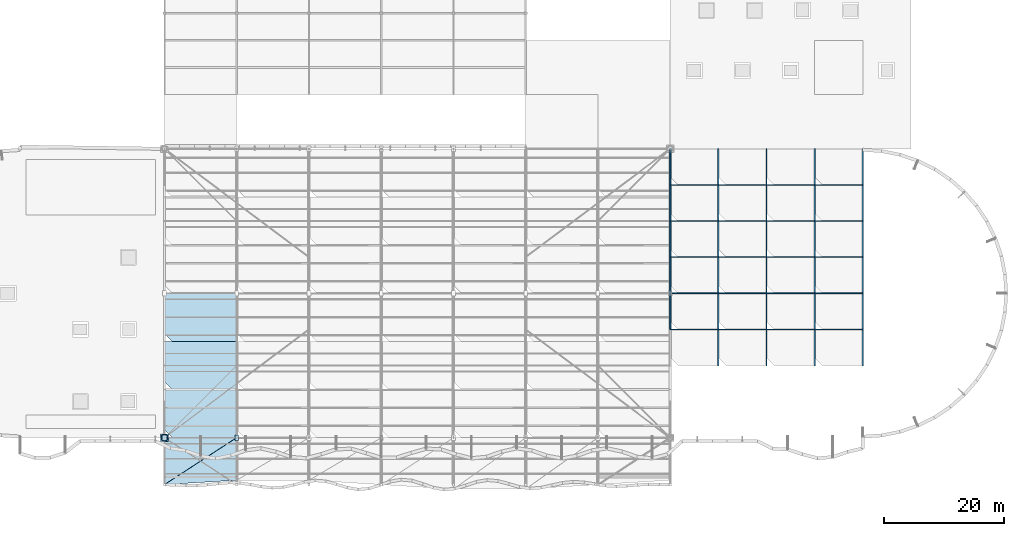
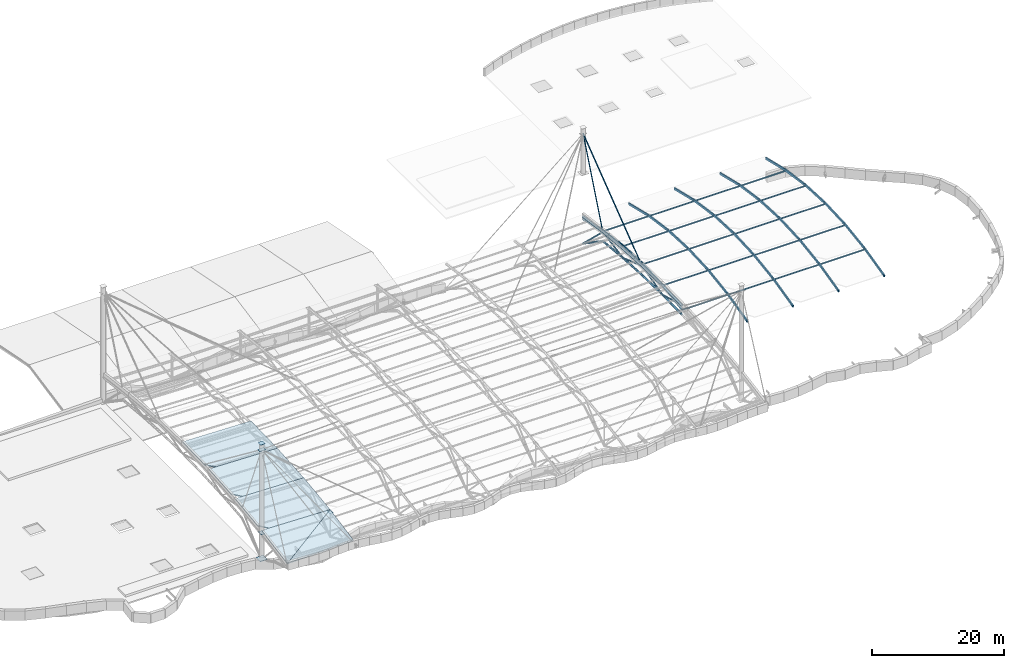
# One storey, part 17 of 29: 66 members, 5 plates, 5 slabs.
"""IFC4 building model written with IfcOpenShell, lengths in metres."""

from ifc_helpers import new_model, si_unit, direction, frame, origin, origin_with_axes, origin_2d, place, context, subcontext, project, spatial, polyline, rectangle, hollow_rectangle, hollow_circle, i_section, outline, extrude, material, layer, layer_set, material_profile, profile_set, type_object, element, save


model = new_model("IFC4")

# Units and contexts
model_context = context("Model", 3, precision=1e-05, world=origin(), true_north=direction((0.0, 1.0)))
body_context = subcontext(model_context, "Body", "Model", "MODEL_VIEW")
ifc_project = project(units=[si_unit("LENGTHUNIT", "METRE"), si_unit("AREAUNIT", "SQUARE_METRE"), si_unit("VOLUMEUNIT", "CUBIC_METRE"), si_unit("PLANEANGLEUNIT", "RADIAN"), si_unit("MASSUNIT", "GRAM", prefix="KILO")], contexts=[model_context])

# Site, building, storey
site_placement = place(None, origin())
site = spatial("IfcSite", under=ifc_project, at=site_placement, CompositionType="ELEMENT")
building_placement = place(site_placement, origin())
building = spatial("IfcBuilding", under=site, at=building_placement, Name="Keelwater Ferry Terminal", CompositionType="ELEMENT")
storey_placement = place(building_placement, frame((0.0, 0.0, 27.89990234375)))
storey = spatial("IfcBuildingStorey", under=building, at=storey_placement, Name="RF", CompositionType="ELEMENT", Elevation=27.89990234375)

# Members
ifc_material_1 = material(Name="Steel S355", Category="steel")
ifc_material_profile_1 = material_profile(ifc_material_1, hollow_circle(Radius=0.136474609375, WallThickness=0.012451171875, at=origin_2d()), Name="CHS 273x12.5")
ifc_profile_set_1 = profile_set([ifc_material_profile_1], Name="Steel S355")
member_type_1 = type_object("IfcMemberType", Name="BR2 CHS 273x12.5", PredefinedType="BRACE", material=ifc_profile_set_1)
for number, where, z_axis, x_axis, name in (
    (1, (132.0, 60.0, -6.365966796875), (0.0, 0.96687447052, -0.255252342315), (-1.0, 0.0, 0.0), "Structural Member MB-RF-0241"),
    (2, (132.0, 66.0, -7.949951171875), (0.0, 0.96687447052, 0.255252342315), (-1.0, 0.0, 0.0), "Structural Member MB-RF-0244"),
):
    element("IfcMember", number, at=place(storey_placement, frame(where, z_axis=z_axis, x_axis=x_axis)), inside=storey, type_object=member_type_1, Name=name, PredefinedType="BRACE", context=body_context, shape_type="SweptSolid", body=[
        extrude(hollow_circle(Radius=0.136474609375, WallThickness=0.012451171875, at=origin_2d()), origin(), (0.0, 0.0, 1.0), 6.20556640625),
    ])
member_1_placement = place(storey_placement, frame((132.0, 72.0, -6.365966796875), z_axis=(0.0, 0.946488800041, -0.322736659519), x_axis=(-1.0, 0.0, 0.0)))
element("IfcMember", 3, at=member_1_placement, inside=storey, type_object=member_type_1, Name="Structural Member MB-RF-0247", PredefinedType="BRACE", context=body_context, shape_type="SweptSolid", body=[
    extrude(hollow_circle(Radius=0.136474609375, WallThickness=0.012451171875, at=origin_2d()), origin(), (0.0, 0.0, 1.0), 6.339111328125),
])
member_2_placement = place(storey_placement, frame((132.0, 78.0, -8.411865234375), z_axis=(0.0, 0.982995131621, 0.183631618216), x_axis=(-1.0, 0.0, 0.0)))
element("IfcMember", 4, at=member_2_placement, inside=storey, type_object=member_type_1, Name="Structural Member MB-RF-0250", PredefinedType="BRACE", context=body_context, shape_type="SweptSolid", body=[
    extrude(hollow_circle(Radius=0.136474609375, WallThickness=0.012451171875, at=origin_2d()), origin(), (0.0, 0.0, 1.0), 6.103759765625),
])
member_3_placement = place(storey_placement, frame((132.0, 84.0, -7.291015625), z_axis=(0.0, 0.721460060019, -0.692456050445), x_axis=(-1.0, 0.0, 0.0)))
element("IfcMember", 5, at=member_3_placement, inside=storey, type_object=member_type_1, Name="Structural Member MB-RF-0253", PredefinedType="BRACE", context=body_context, shape_type="SweptSolid", body=[
    extrude(hollow_circle(Radius=0.136474609375, WallThickness=0.012451171875, at=origin_2d()), origin(), (0.0, 0.0, 1.0), 8.31640625),
])
ifc_material_2 = material(Name="Steel S355", Category="steel")
ifc_material_profile_2 = material_profile(ifc_material_2, i_section(OverallWidth=0.1201171875, OverallDepth=0.239990234375, WebThickness=0.006103515625, FlangeThickness=0.009765625, at=origin_2d()), Name="IPE 240")
ifc_profile_set_2 = profile_set([ifc_material_profile_2], Name="Steel S355")
member_type_2 = type_object("IfcMemberType", Name="PR3 IPE 240", PredefinedType="PURLIN", material=ifc_profile_set_2)
for number, where, z_axis, x_axis, name in (
    (6, (132.0, 60.0, -7.17578125), (1.0, 0.0, 0.0), (0.0, 1.0, 0.0), "Structural Member MB-RF-0464"),
    (7, (132.0, 66.0, -6.308837890625), (1.0, 0.0, 0.0), (0.0, 1.0, 0.0), "Structural Member MB-RF-0465"),
    (8, (132.0, 72.0, -6.02001953125), (1.0, 0.0, 0.0), (0.0, 1.0, 0.0), "Structural Member MB-RF-0466"),
    (9, (132.0, 78.0, -6.308837890625), (1.0, 0.0, 0.0), (0.0, 1.0, 0.0), "Structural Member MB-RF-0467"),
    (10, (132.0, 84.0, -7.17578125), (1.0, 0.0, 0.0), (0.0, 1.0, 0.0), "Structural Member MB-RF-0468"),
    (11, (140.0, 60.0, -7.17578125), (1.0, 0.0, 0.0), (0.0, 1.0, 0.0), "Structural Member MB-RF-0469"),
    (12, (140.0, 66.0, -6.308837890625), (1.0, 0.0, 0.0), (0.0, 1.0, 0.0), "Structural Member MB-RF-0470"),
    (13, (140.0, 72.0, -6.02001953125), (1.0, 0.0, 0.0), (0.0, 1.0, 0.0), "Structural Member MB-RF-0471"),
    (14, (140.0, 78.0, -6.308837890625), (1.0, 0.0, 0.0), (0.0, 1.0, 0.0), "Structural Member MB-RF-0472"),
    (15, (140.0, 84.0, -7.17578125), (1.0, 0.0, 0.0), (0.0, 1.0, 0.0), "Structural Member MB-RF-0473"),
    (16, (148.0, 60.0, -7.17578125), (1.0, 0.0, 0.0), (0.0, 1.0, 0.0), "Structural Member MB-RF-0474"),
    (17, (148.0, 66.0, -6.308837890625), (1.0, 0.0, 0.0), (0.0, 1.0, 0.0), "Structural Member MB-RF-0475"),
    (18, (148.0, 72.0, -6.02001953125), (1.0, 0.0, 0.0), (0.0, 1.0, 0.0), "Structural Member MB-RF-0476"),
    (19, (148.0, 78.0, -6.308837890625), (1.0, 0.0, 0.0), (0.0, 1.0, 0.0), "Structural Member MB-RF-0477"),
    (20, (148.0, 84.0, -7.17578125), (1.0, 0.0, 0.0), (0.0, 1.0, 0.0), "Structural Member MB-RF-0478"),
    (21, (156.0, 60.0, -7.17578125), (1.0, 0.0, 0.0), (0.0, 1.0, 0.0), "Structural Member MB-RF-0479"),
    (22, (156.0, 66.0, -6.308837890625), (1.0, 0.0, 0.0), (0.0, 1.0, 0.0), "Structural Member MB-RF-0480"),
    (23, (156.0, 72.0, -6.02001953125), (1.0, 0.0, 0.0), (0.0, 1.0, 0.0), "Structural Member MB-RF-0481"),
    (24, (156.0, 78.0, -6.308837890625), (1.0, 0.0, 0.0), (0.0, 1.0, 0.0), "Structural Member MB-RF-0482"),
    (25, (156.0, 84.0, -7.17578125), (1.0, 0.0, 0.0), (0.0, 1.0, 0.0), "Structural Member MB-RF-0483"),
):
    element("IfcMember", number, at=place(storey_placement, frame(where, z_axis=z_axis, x_axis=x_axis)), inside=storey, type_object=member_type_2, Name=name, PredefinedType="PURLIN", context=body_context, shape_type="SweptSolid", body=[
        extrude(i_section(OverallWidth=0.1201171875, OverallDepth=0.239990234375, WebThickness=0.006103515625, FlangeThickness=0.009765625, at=origin_2d()), origin(), (0.0, 0.0, 1.0), 8.0),
    ])
ifc_material_3 = material(Name="Steel S460", Category="steel")
ifc_material_profile_3 = material_profile(ifc_material_3, hollow_circle(Radius=0.084228515625, WallThickness=0.012451171875, at=origin_2d()), Name="CHS 168.3x12.5")
ifc_profile_set_3 = profile_set([ifc_material_profile_3], Name="Steel S460")
member_type_3 = type_object("IfcMemberType", Name="SC1E CHS 168.3x12.5", PredefinedType="USERDEFINED", material=ifc_profile_set_3)
member_4_placement = place(storey_placement, frame((132.0, 90.0, 7.300048828125), z_axis=(0.0, -0.378097227373, -0.925765891926), x_axis=(1.0, 0.0, 0.0)))
element("IfcMember", 26, at=member_4_placement, inside=storey, type_object=member_type_3, Name="Structural Member MB-RF-0407", ObjectType="CABLE", PredefinedType="USERDEFINED", context=body_context, shape_type="SweptSolid", body=[
    extrude(hollow_circle(Radius=0.084228515625, WallThickness=0.012451171875, at=origin_2d()), origin(), (0.0, 0.0, 1.0), 15.868896484375),
])
ifc_material_4 = material(Name="Steel S460", Category="steel")
ifc_material_profile_4 = material_profile(ifc_material_4, hollow_circle(Radius=0.06982421875, WallThickness=0.010009765625, at=origin_2d()), Name="CHS 139.7x10")
ifc_profile_set_4 = profile_set([ifc_material_profile_4], Name="Steel S460")
member_type_4 = type_object("IfcMemberType", Name="SC2E CHS 139.7x10", PredefinedType="USERDEFINED", material=ifc_profile_set_4)
member_5_placement = place(storey_placement, frame((132.0, 90.0, 7.300048828125), z_axis=(0.0, -0.794333061913, -0.607482499132), x_axis=(1.0, 0.0, 0.0)))
element("IfcMember", 27, at=member_5_placement, inside=storey, type_object=member_type_4, Name="Structural Member MB-RF-0408", ObjectType="CABLE", PredefinedType="USERDEFINED", context=body_context, shape_type="SweptSolid", body=[
    extrude(hollow_circle(Radius=0.06982421875, WallThickness=0.010009765625, at=origin_2d()), origin(), (0.0, 0.0, 1.0), 22.660400390625),
])
ifc_material_5 = material(Name="Steel S355", Category="steel")
ifc_material_profile_5 = material_profile(ifc_material_5, hollow_circle(Radius=0.203125, WallThickness=0.01611328125, at=origin_2d()), Name="CHS 406.4x16")
ifc_profile_set_5 = profile_set([ifc_material_profile_5], Name="Steel S355")
member_type_5 = type_object("IfcMemberType", Name="TC1 CHS 406.4x16", PredefinedType="CHORD", material=ifc_profile_set_5)
for number, where, z_axis, x_axis, name in (
    (28, (132.0, 60.0, -6.365966796875), (0.0, 0.999813270399, 0.019324190407), (-1.0, 0.0, 0.0), "Structural Member MB-RF-0239"),
    (29, (132.0, 66.0, -6.25), (0.0, 0.999813270399, -0.019324190407), (-1.0, 0.0, 0.0), "Structural Member MB-RF-0242"),
):
    element("IfcMember", number, at=place(storey_placement, frame(where, z_axis=z_axis, x_axis=x_axis)), inside=storey, type_object=member_type_5, Name=name, PredefinedType="CHORD", context=body_context, shape_type="SweptSolid", body=[
        extrude(hollow_circle(Radius=0.203125, WallThickness=0.01611328125, at=origin_2d()), origin(), (0.0, 0.0, 1.0), 6.001220703125),
    ])
member_6_placement = place(storey_placement, frame((132.0, 72.0, -6.365966796875), z_axis=(0.0, 0.998341917567, -0.05756227609), x_axis=(-1.0, 0.0, 0.0)))
element("IfcMember", 30, at=member_6_placement, inside=storey, type_object=member_type_5, Name="Structural Member MB-RF-0245", PredefinedType="CHORD", context=body_context, shape_type="SweptSolid", body=[
    extrude(hollow_circle(Radius=0.203125, WallThickness=0.01611328125, at=origin_2d()), origin(), (0.0, 0.0, 1.0), 6.010009765625),
])
member_7_placement = place(storey_placement, frame((132.0, 78.0, -6.7119140625), z_axis=(0.0, 0.995374532886, -0.096070491211), x_axis=(-1.0, 0.0, 0.0)))
element("IfcMember", 31, at=member_7_placement, inside=storey, type_object=member_type_5, Name="Structural Member MB-RF-0248", PredefinedType="CHORD", context=body_context, shape_type="SweptSolid", body=[
    extrude(hollow_circle(Radius=0.203125, WallThickness=0.01611328125, at=origin_2d()), origin(), (0.0, 0.0, 1.0), 6.02783203125),
])
member_8_placement = place(storey_placement, frame((132.0, 84.0, -7.291015625), z_axis=(0.0, 0.991035625786, -0.133597860849), x_axis=(-1.0, 0.0, 0.0)))
element("IfcMember", 32, at=member_8_placement, inside=storey, type_object=member_type_5, Name="Structural Member MB-RF-0251", PredefinedType="CHORD", context=body_context, shape_type="SweptSolid", body=[
    extrude(hollow_circle(Radius=0.203125, WallThickness=0.01611328125, at=origin_2d()), origin(), (0.0, 0.0, 1.0), 6.05419921875),
])
ifc_material_6 = material(Name="Steel S355", Category="steel")
ifc_material_profile_6 = material_profile(ifc_material_6, hollow_circle(Radius=0.177734375, WallThickness=0.01611328125, at=origin_2d()), Name="CHS 355.6x16")
ifc_profile_set_6 = profile_set([ifc_material_profile_6], Name="Steel S355")
member_type_6 = type_object("IfcMemberType", Name="TC2 CHS 355.6x16", PredefinedType="CHORD", material=ifc_profile_set_6)
for number, where, z_axis, x_axis, name in (
    (33, (132.0, 60.0, -8.06591796875), (0.0, 0.999813270399, 0.019324190407), (-1.0, 0.0, 0.0), "Structural Member MB-RF-0240"),
    (34, (132.0, 66.0, -7.949951171875), (0.0, 0.999813270399, -0.019324190407), (-1.0, 0.0, 0.0), "Structural Member MB-RF-0243"),
):
    element("IfcMember", number, at=place(storey_placement, frame(where, z_axis=z_axis, x_axis=x_axis)), inside=storey, type_object=member_type_6, Name=name, PredefinedType="CHORD", context=body_context, shape_type="SweptSolid", body=[
        extrude(hollow_circle(Radius=0.177734375, WallThickness=0.01611328125, at=origin_2d()), origin(), (0.0, 0.0, 1.0), 6.001220703125),
    ])
member_9_placement = place(storey_placement, frame((132.0, 72.0, -8.06591796875), z_axis=(0.0, 0.998341917567, -0.05756227609), x_axis=(-1.0, 0.0, 0.0)))
element("IfcMember", 35, at=member_9_placement, inside=storey, type_object=member_type_6, Name="Structural Member MB-RF-0246", PredefinedType="CHORD", context=body_context, shape_type="SweptSolid", body=[
    extrude(hollow_circle(Radius=0.177734375, WallThickness=0.01611328125, at=origin_2d()), origin(), (0.0, 0.0, 1.0), 6.010009765625),
])
member_10_placement = place(storey_placement, frame((132.0, 78.0, -8.411865234375), z_axis=(0.0, 0.995374532886, -0.096070491211), x_axis=(-1.0, 0.0, 0.0)))
element("IfcMember", 36, at=member_10_placement, inside=storey, type_object=member_type_6, Name="Structural Member MB-RF-0249", PredefinedType="CHORD", context=body_context, shape_type="SweptSolid", body=[
    extrude(hollow_circle(Radius=0.177734375, WallThickness=0.01611328125, at=origin_2d()), origin(), (0.0, 0.0, 1.0), 6.02783203125),
])
member_11_placement = place(storey_placement, frame((132.0, 84.0, -8.990966796875), z_axis=(0.0, 0.828282493048, -0.560310727821), x_axis=(-1.0, 0.0, 0.0)))
element("IfcMember", 37, at=member_11_placement, inside=storey, type_object=member_type_6, Name="Structural Member MB-RF-0252", PredefinedType="CHORD", context=body_context, shape_type="SweptSolid", body=[
    extrude(hollow_circle(Radius=0.177734375, WallThickness=0.01611328125, at=origin_2d()), origin(), (0.0, 0.0, 1.0), 7.243896484375),
])
ifc_material_7 = material(Name="Steel S355", Category="steel")
ifc_material_profile_7 = material_profile(ifc_material_7, hollow_rectangle(XDim=0.199951171875, YDim=0.39990234375, WallThickness=0.01611328125, at=origin_2d()), Name="RHS 400x200x16")
ifc_profile_set_7 = profile_set([ifc_material_profile_7], Name="Steel S355")
member_type_7 = type_object("IfcMemberType", Name="TC3 RHS 400x200x16", PredefinedType="CHORD", material=ifc_profile_set_7)
member_12_placement = place(storey_placement, frame((132.0, 60.0, -7.05078125), z_axis=(0.0, 0.989721897916, 0.143005471171), x_axis=(-1.0, 0.0, 0.0)))
element("IfcMember", 38, at=member_12_placement, inside=storey, type_object=member_type_7, Name="Structural Member MB-RF-0435", PredefinedType="CHORD", context=body_context, shape_type="SweptSolid", body=[
    extrude(hollow_rectangle(XDim=0.199951171875, YDim=0.39990234375, WallThickness=0.01611328125, at=origin_2d()), origin(), (0.0, 0.0, 1.0), 6.062255859375),
])
for number, where, z_axis, x_axis, name in (
    (39, (132.0, 66.0, -6.183837890625), (0.0, 0.998843453322, 0.048080721243), (-1.0, 0.0, 0.0), "Structural Member MB-RF-0436"),
    (40, (132.0, 72.0, -5.89501953125), (0.0, 0.998843453322, -0.048080721243), (-1.0, 0.0, 0.0), "Structural Member MB-RF-0437"),
):
    element("IfcMember", number, at=place(storey_placement, frame(where, z_axis=z_axis, x_axis=x_axis)), inside=storey, type_object=member_type_7, Name=name, PredefinedType="CHORD", context=body_context, shape_type="SweptSolid", body=[
        extrude(hollow_rectangle(XDim=0.199951171875, YDim=0.39990234375, WallThickness=0.01611328125, at=origin_2d()), origin(), (0.0, 0.0, 1.0), 6.0068359375),
    ])
member_13_placement = place(storey_placement, frame((132.0, 78.0, -6.183837890625), z_axis=(0.0, 0.989721897916, -0.143005471171), x_axis=(-1.0, 0.0, 0.0)))
element("IfcMember", 41, at=member_13_placement, inside=storey, type_object=member_type_7, Name="Structural Member MB-RF-0438", PredefinedType="CHORD", context=body_context, shape_type="SweptSolid", body=[
    extrude(hollow_rectangle(XDim=0.199951171875, YDim=0.39990234375, WallThickness=0.01611328125, at=origin_2d()), origin(), (0.0, 0.0, 1.0), 6.062255859375),
])
for number, where, z_axis, x_axis, name in (
    (42, (132.0, 84.0, -7.05078125), (0.0, 0.972236638658, -0.233999825751), (-1.0, 0.0, 0.0), "Structural Member MB-RF-0439"),
    (43, (140.0, 54.0, -8.494873046875), (0.0, 0.972236638658, 0.233999825751), (-1.0, 0.0, 0.0), "Structural Member MB-RF-0440"),
):
    element("IfcMember", number, at=place(storey_placement, frame(where, z_axis=z_axis, x_axis=x_axis)), inside=storey, type_object=member_type_7, Name=name, PredefinedType="CHORD", context=body_context, shape_type="SweptSolid", body=[
        extrude(hollow_rectangle(XDim=0.199951171875, YDim=0.39990234375, WallThickness=0.01611328125, at=origin_2d()), origin(), (0.0, 0.0, 1.0), 6.17138671875),
    ])
member_14_placement = place(storey_placement, frame((140.0, 60.0, -7.05078125), z_axis=(0.0, 0.989721897916, 0.143005471171), x_axis=(-1.0, 0.0, 0.0)))
element("IfcMember", 44, at=member_14_placement, inside=storey, type_object=member_type_7, Name="Structural Member MB-RF-0441", PredefinedType="CHORD", context=body_context, shape_type="SweptSolid", body=[
    extrude(hollow_rectangle(XDim=0.199951171875, YDim=0.39990234375, WallThickness=0.01611328125, at=origin_2d()), origin(), (0.0, 0.0, 1.0), 6.062255859375),
])
for number, where, z_axis, x_axis, name in (
    (45, (140.0, 66.0, -6.183837890625), (0.0, 0.998843453322, 0.048080721243), (-1.0, 0.0, 0.0), "Structural Member MB-RF-0442"),
    (46, (140.0, 72.0, -5.89501953125), (0.0, 0.998843453322, -0.048080721243), (-1.0, 0.0, 0.0), "Structural Member MB-RF-0443"),
):
    element("IfcMember", number, at=place(storey_placement, frame(where, z_axis=z_axis, x_axis=x_axis)), inside=storey, type_object=member_type_7, Name=name, PredefinedType="CHORD", context=body_context, shape_type="SweptSolid", body=[
        extrude(hollow_rectangle(XDim=0.199951171875, YDim=0.39990234375, WallThickness=0.01611328125, at=origin_2d()), origin(), (0.0, 0.0, 1.0), 6.0068359375),
    ])
member_15_placement = place(storey_placement, frame((140.0, 78.0, -6.183837890625), z_axis=(0.0, 0.989721897916, -0.143005471171), x_axis=(-1.0, 0.0, 0.0)))
element("IfcMember", 47, at=member_15_placement, inside=storey, type_object=member_type_7, Name="Structural Member MB-RF-0444", PredefinedType="CHORD", context=body_context, shape_type="SweptSolid", body=[
    extrude(hollow_rectangle(XDim=0.199951171875, YDim=0.39990234375, WallThickness=0.01611328125, at=origin_2d()), origin(), (0.0, 0.0, 1.0), 6.062255859375),
])
for number, where, z_axis, x_axis, name in (
    (48, (140.0, 84.0, -7.05078125), (0.0, 0.972236638658, -0.233999825751), (-1.0, 0.0, 0.0), "Structural Member MB-RF-0445"),
    (49, (148.0, 54.0, -8.494873046875), (0.0, 0.972236638658, 0.233999825751), (-1.0, 0.0, 0.0), "Structural Member MB-RF-0446"),
):
    element("IfcMember", number, at=place(storey_placement, frame(where, z_axis=z_axis, x_axis=x_axis)), inside=storey, type_object=member_type_7, Name=name, PredefinedType="CHORD", context=body_context, shape_type="SweptSolid", body=[
        extrude(hollow_rectangle(XDim=0.199951171875, YDim=0.39990234375, WallThickness=0.01611328125, at=origin_2d()), origin(), (0.0, 0.0, 1.0), 6.17138671875),
    ])
member_16_placement = place(storey_placement, frame((148.0, 60.0, -7.05078125), z_axis=(0.0, 0.989721897916, 0.143005471171), x_axis=(-1.0, 0.0, 0.0)))
element("IfcMember", 50, at=member_16_placement, inside=storey, type_object=member_type_7, Name="Structural Member MB-RF-0447", PredefinedType="CHORD", context=body_context, shape_type="SweptSolid", body=[
    extrude(hollow_rectangle(XDim=0.199951171875, YDim=0.39990234375, WallThickness=0.01611328125, at=origin_2d()), origin(), (0.0, 0.0, 1.0), 6.062255859375),
])
for number, where, z_axis, x_axis, name in (
    (51, (148.0, 66.0, -6.183837890625), (0.0, 0.998843453322, 0.048080721243), (-1.0, 0.0, 0.0), "Structural Member MB-RF-0448"),
    (52, (148.0, 72.0, -5.89501953125), (0.0, 0.998843453322, -0.048080721243), (-1.0, 0.0, 0.0), "Structural Member MB-RF-0449"),
):
    element("IfcMember", number, at=place(storey_placement, frame(where, z_axis=z_axis, x_axis=x_axis)), inside=storey, type_object=member_type_7, Name=name, PredefinedType="CHORD", context=body_context, shape_type="SweptSolid", body=[
        extrude(hollow_rectangle(XDim=0.199951171875, YDim=0.39990234375, WallThickness=0.01611328125, at=origin_2d()), origin(), (0.0, 0.0, 1.0), 6.0068359375),
    ])
member_17_placement = place(storey_placement, frame((148.0, 78.0, -6.183837890625), z_axis=(0.0, 0.989721897916, -0.143005471171), x_axis=(-1.0, 0.0, 0.0)))
element("IfcMember", 53, at=member_17_placement, inside=storey, type_object=member_type_7, Name="Structural Member MB-RF-0450", PredefinedType="CHORD", context=body_context, shape_type="SweptSolid", body=[
    extrude(hollow_rectangle(XDim=0.199951171875, YDim=0.39990234375, WallThickness=0.01611328125, at=origin_2d()), origin(), (0.0, 0.0, 1.0), 6.062255859375),
])
for number, where, z_axis, x_axis, name in (
    (54, (148.0, 84.0, -7.05078125), (0.0, 0.972236638658, -0.233999825751), (-1.0, 0.0, 0.0), "Structural Member MB-RF-0451"),
    (55, (156.0, 54.0, -8.494873046875), (0.0, 0.972236638658, 0.233999825751), (-1.0, 0.0, 0.0), "Structural Member MB-RF-0452"),
):
    element("IfcMember", number, at=place(storey_placement, frame(where, z_axis=z_axis, x_axis=x_axis)), inside=storey, type_object=member_type_7, Name=name, PredefinedType="CHORD", context=body_context, shape_type="SweptSolid", body=[
        extrude(hollow_rectangle(XDim=0.199951171875, YDim=0.39990234375, WallThickness=0.01611328125, at=origin_2d()), origin(), (0.0, 0.0, 1.0), 6.17138671875),
    ])
member_18_placement = place(storey_placement, frame((156.0, 60.0, -7.05078125), z_axis=(0.0, 0.989721897916, 0.143005471171), x_axis=(-1.0, 0.0, 0.0)))
element("IfcMember", 56, at=member_18_placement, inside=storey, type_object=member_type_7, Name="Structural Member MB-RF-0453", PredefinedType="CHORD", context=body_context, shape_type="SweptSolid", body=[
    extrude(hollow_rectangle(XDim=0.199951171875, YDim=0.39990234375, WallThickness=0.01611328125, at=origin_2d()), origin(), (0.0, 0.0, 1.0), 6.062255859375),
])
for number, where, z_axis, x_axis, name in (
    (57, (156.0, 66.0, -6.183837890625), (0.0, 0.998843453322, 0.048080721243), (-1.0, 0.0, 0.0), "Structural Member MB-RF-0454"),
    (58, (156.0, 72.0, -5.89501953125), (0.0, 0.998843453322, -0.048080721243), (-1.0, 0.0, 0.0), "Structural Member MB-RF-0455"),
):
    element("IfcMember", number, at=place(storey_placement, frame(where, z_axis=z_axis, x_axis=x_axis)), inside=storey, type_object=member_type_7, Name=name, PredefinedType="CHORD", context=body_context, shape_type="SweptSolid", body=[
        extrude(hollow_rectangle(XDim=0.199951171875, YDim=0.39990234375, WallThickness=0.01611328125, at=origin_2d()), origin(), (0.0, 0.0, 1.0), 6.0068359375),
    ])
member_19_placement = place(storey_placement, frame((156.0, 78.0, -6.183837890625), z_axis=(0.0, 0.989721897916, -0.143005471171), x_axis=(-1.0, 0.0, 0.0)))
element("IfcMember", 59, at=member_19_placement, inside=storey, type_object=member_type_7, Name="Structural Member MB-RF-0456", PredefinedType="CHORD", context=body_context, shape_type="SweptSolid", body=[
    extrude(hollow_rectangle(XDim=0.199951171875, YDim=0.39990234375, WallThickness=0.01611328125, at=origin_2d()), origin(), (0.0, 0.0, 1.0), 6.062255859375),
])
for number, where, z_axis, x_axis, name in (
    (60, (156.0, 84.0, -7.05078125), (0.0, 0.972236638658, -0.233999825751), (-1.0, 0.0, 0.0), "Structural Member MB-RF-0457"),
    (61, (164.0, 54.0, -8.494873046875), (0.0, 0.972236638658, 0.233999825751), (-1.0, 0.0, 0.0), "Structural Member MB-RF-0458"),
):
    element("IfcMember", number, at=place(storey_placement, frame(where, z_axis=z_axis, x_axis=x_axis)), inside=storey, type_object=member_type_7, Name=name, PredefinedType="CHORD", context=body_context, shape_type="SweptSolid", body=[
        extrude(hollow_rectangle(XDim=0.199951171875, YDim=0.39990234375, WallThickness=0.01611328125, at=origin_2d()), origin(), (0.0, 0.0, 1.0), 6.17138671875),
    ])
member_20_placement = place(storey_placement, frame((164.0, 60.0, -7.05078125), z_axis=(0.0, 0.989721897916, 0.143005471171), x_axis=(-1.0, 0.0, 0.0)))
element("IfcMember", 62, at=member_20_placement, inside=storey, type_object=member_type_7, Name="Structural Member MB-RF-0459", PredefinedType="CHORD", context=body_context, shape_type="SweptSolid", body=[
    extrude(hollow_rectangle(XDim=0.199951171875, YDim=0.39990234375, WallThickness=0.01611328125, at=origin_2d()), origin(), (0.0, 0.0, 1.0), 6.062255859375),
])
for number, where, z_axis, x_axis, name in (
    (63, (164.0, 66.0, -6.183837890625), (0.0, 0.998843453322, 0.048080721243), (-1.0, 0.0, 0.0), "Structural Member MB-RF-0460"),
    (64, (164.0, 72.0, -5.89501953125), (0.0, 0.998843453322, -0.048080721243), (-1.0, 0.0, 0.0), "Structural Member MB-RF-0461"),
):
    element("IfcMember", number, at=place(storey_placement, frame(where, z_axis=z_axis, x_axis=x_axis)), inside=storey, type_object=member_type_7, Name=name, PredefinedType="CHORD", context=body_context, shape_type="SweptSolid", body=[
        extrude(hollow_rectangle(XDim=0.199951171875, YDim=0.39990234375, WallThickness=0.01611328125, at=origin_2d()), origin(), (0.0, 0.0, 1.0), 6.0068359375),
    ])
member_21_placement = place(storey_placement, frame((164.0, 78.0, -6.183837890625), z_axis=(0.0, 0.989721897916, -0.143005471171), x_axis=(-1.0, 0.0, 0.0)))
element("IfcMember", 65, at=member_21_placement, inside=storey, type_object=member_type_7, Name="Structural Member MB-RF-0462", PredefinedType="CHORD", context=body_context, shape_type="SweptSolid", body=[
    extrude(hollow_rectangle(XDim=0.199951171875, YDim=0.39990234375, WallThickness=0.01611328125, at=origin_2d()), origin(), (0.0, 0.0, 1.0), 6.062255859375),
])
member_22_placement = place(storey_placement, frame((164.0, 84.0, -7.05078125), z_axis=(0.0, 0.972236638658, -0.233999825751), x_axis=(-1.0, 0.0, 0.0)))
element("IfcMember", 66, at=member_22_placement, inside=storey, type_object=member_type_7, Name="Structural Member MB-RF-0463", PredefinedType="CHORD", context=body_context, shape_type="SweptSolid", body=[
    extrude(hollow_rectangle(XDim=0.199951171875, YDim=0.39990234375, WallThickness=0.01611328125, at=origin_2d()), origin(), (0.0, 0.0, 1.0), 6.17138671875),
])

# Plates
ifc_material_8 = material(Name="Steel S355", Category="steel")
ifc_layer_1 = layer(ifc_material_8, 0.06494140625)
ifc_layer_set_1 = layer_set([ifc_layer_1], Name="Steel S355")
plate_type_1 = type_object("IfcPlateType", Name="BP1 1300x1300x65", PredefinedType="USERDEFINED", material=ifc_layer_set_1)
plate_1_placement = place(storey_placement, frame((48.0, 42.0, -12.900390625), z_axis=(0.0, 0.0, 1.0), x_axis=(1.0, 0.0, 0.0)))
element("IfcPlate", 67, at=plate_1_placement, inside=storey, type_object=plate_type_1, Name="Roof Mast ML1 Base Plate", ObjectType="GUSSET PLATE", PredefinedType="USERDEFINED", context=body_context, shape_type="SweptSolid", body=[
    extrude(rectangle(XDim=1.300048828125, YDim=1.300048828125, at=origin_2d()), origin(), (0.0, 0.0, 1.0), 0.06494140625),
])
ifc_material_9 = material(Name="Steel S355", Category="steel")
ifc_layer_2 = layer(ifc_material_9, 0.034912109375)
ifc_layer_set_2 = layer_set([ifc_layer_2], Name="Steel S355")
plate_type_2 = type_object("IfcPlateType", Name="CP1 840x840x35", PredefinedType="USERDEFINED", material=ifc_layer_set_2)
plate_2_placement = place(storey_placement, frame((48.0, 42.0, 8.46484375), z_axis=(0.0, 0.0, 1.0), x_axis=(1.0, 0.0, 0.0)))
element("IfcPlate", 68, at=plate_2_placement, inside=storey, type_object=plate_type_2, Name="Roof Mast ML1 Top Cap Plate", ObjectType="GUSSET PLATE", PredefinedType="USERDEFINED", context=body_context, shape_type="SweptSolid", body=[
    extrude(rectangle(XDim=0.840087890625, YDim=0.840087890625, at=origin_2d()), origin(), (0.0, 0.0, 1.0), 0.034912109375),
])
ifc_material_10 = material(Name="Steel S460", Category="steel")
ifc_layer_3 = layer(ifc_material_10, 0.034912109375)
ifc_layer_set_3 = layer_set([ifc_layer_3], Name="Steel S460")
plate_type_3 = type_object("IfcPlateType", Name="GP6 1100x700x35", PredefinedType="USERDEFINED", material=ifc_layer_set_3)
plate_3_placement = place(storey_placement, frame((48.0, 42.0, 7.28271484375), z_axis=(0.0, 0.0, 1.0), x_axis=(1.0, 0.0, 0.0)))
element("IfcPlate", 69, at=plate_3_placement, inside=storey, type_object=plate_type_3, Name="Roof Mast ML1 Stay Cable Collar Plate", ObjectType="GUSSET PLATE", PredefinedType="USERDEFINED", context=body_context, shape_type="SweptSolid", body=[
    extrude(rectangle(XDim=1.10009765625, YDim=0.699951171875, at=origin_2d()), origin(), (0.0, 0.0, 1.0), 0.034912109375),
])
ifc_material_11 = material(Name="Steel S460", Category="steel")
ifc_layer_4 = layer(ifc_material_11, 0.031982421875)
ifc_layer_set_4 = layer_set([ifc_layer_4], Name="Steel S460")
plate_type_4 = type_object("IfcPlateType", Name="GP7 960x640x32", PredefinedType="USERDEFINED", material=ifc_layer_set_4)
for number, where, z_axis, x_axis, name in (
    (70, (48.0, 42.0, -8.11572265625), (0.0, 0.0, 1.0), (0.0, 1.0, 0.0), "Connection Gusset Plate 2"),
    (71, (60.0, 42.0, -8.44970703125), (0.0, 0.0, 1.0), (0.0, 1.0, 0.0), "Connection Gusset Plate 6"),
):
    element("IfcPlate", number, at=place(storey_placement, frame(where, z_axis=z_axis, x_axis=x_axis)), inside=storey, type_object=plate_type_4, Name=name, ObjectType="GUSSET PLATE", PredefinedType="USERDEFINED", context=body_context, shape_type="SweptSolid", body=[
        extrude(rectangle(XDim=0.9599609375, YDim=0.639892578125, at=origin_2d()), origin(), (0.0, 0.0, 1.0), 0.031982421875),
    ])

# Slabs
ifc_material_12 = material(Name="Concrete C40/50", Category="concrete")
ifc_layer_5 = layer(ifc_material_12, 0.179931640625)
ifc_layer_set_5 = layer_set([ifc_layer_5], Name="Concrete C40/50")
slab_type_1 = type_object("IfcSlabType", Name="SL-R180 Roof Slab 180", PredefinedType="ROOF", material=ifc_layer_set_5)
slab_1_placement = place(storey_placement, frame((47.99296346099215, 34.2348943648425, -9.224445091802036), z_axis=(0.03909188337692651, -0.1938575824583539, 0.9802505100113171), x_axis=(0.9992356201887744, 0.007584055103803454, -0.038349151935051916)))
element("IfcSlab", 72, at=slab_1_placement, inside=storey, type_object=slab_type_1, Name="V1 Saddle Wave Eave Roof Facet SL-RF-064", PredefinedType="ROOF", context=body_context, shape_type="SweptSolid", body=[
    extrude(outline(polyline([(0.0, 0.0), (12.009179574416065, 0.6574123131094862), (12.009179574416063, 7.8582251144535125), (0.0, 0.0)])), origin_with_axes(), (0.0, 0.0, 1.0), 0.18),
])
slab_2_placement = place(storey_placement, frame((47.99507043121112, 34.23174360740146, -9.225110255887955), z_axis=(0.02738649327156382, -0.17635337445253918, 0.9839458660442094), x_axis=(0.999624919650509, 0.004831512708337253, -0.026956937857675643)))
element("IfcSlab", 73, at=slab_2_placement, inside=storey, type_object=slab_type_1, Name="V1 Saddle Wave Eave Roof Facet SL-RF-065", PredefinedType="ROOF", context=body_context, shape_type="SweptSolid", body=[
    extrude(outline(polyline([(0.0, 0.0), (12.004502653050572, 7.865367890499576), (2.0816681711721685e-17, 7.924292018849379), (0.0, 0.0)])), origin_with_axes(), (0.0, 0.0, 1.0), 0.18),
])
ifc_material_13 = material(Name="Concrete C40/50", Category="concrete")
ifc_layer_6 = layer(ifc_material_13, 0.199951171875)
ifc_layer_set_6 = layer_set([ifc_layer_6], Name="Concrete C40/50")
slab_type_2 = type_object("IfcSlabType", Name="SL-R200 Roof Slab 200", PredefinedType="ROOF", material=ifc_layer_set_6)
slab_3_placement = place(storey_placement, frame((49.29448036911904, 42.02547928485375, -7.884293569533355), z_axis=(0.027598154404783228, -0.12739642426874548, 0.9914678476667752), x_axis=(0.9996190983937081, 0.003517245912203793, -0.0273731092085525)))
element("IfcSlab", 74, at=slab_3_placement, inside=storey, type_object=slab_type_2, Name="V1 Saddle Cable-Net Coffered Roof Panel SL-RF-066", PredefinedType="ROOF", context=body_context, shape_type="SweptSolid", body=[
    extrude(outline(polyline([(0.0, 0.0), (10.704081539356828, -0.03797860054203711), (10.704079950388067, 8.027799972955075), (-1.3004918488120873, 8.07036659235454), (-1.300489149395289, 1.3152706648022927), (0.0, 0.0)])), origin_with_axes(), (0.0, 0.0, 1.0), 0.2),
])
slab_4_placement = place(storey_placement, frame((49.294451731701145, 50.015347472036005, -6.857333067555253), z_axis=(0.027741341494260597, -0.07673736018003048, 0.9966653377762764), x_axis=(0.9996151349254866, 0.0021296169293004803, -0.027659478658059004)))
element("IfcSlab", 75, at=slab_4_placement, inside=storey, type_object=slab_type_2, Name="V1 Saddle Cable-Net Coffered Roof Panel SL-RF-067", PredefinedType="ROOF", context=body_context, shape_type="SweptSolid", body=[
    extrude(outline(polyline([(0.0, 0.0), (10.70412446834281, -0.022876537714041138), (10.704123164923852, 8.000804412934011), (-1.3004967200537805, 8.026444559230956), (-1.3004928624925354, 1.306604086372702), (0.0, 0.0)])), origin_with_axes(), (0.0, 0.0, 1.0), 0.2),
])
slab_5_placement = place(storey_placement, frame((49.29445649581188, 58.005148202105154, -6.241856862720297), z_axis=(0.027717520940578878, -0.025741010525781927, 0.9992843136014996), x_axis=(0.999615795709986, 0.0007137512245625015, -0.0277083295469226)))
element("IfcSlab", 76, at=slab_5_placement, inside=storey, type_object=slab_type_2, Name="V1 Saddle Cable-Net Coffered Roof Panel SL-RF-068", PredefinedType="ROOF", context=body_context, shape_type="SweptSolid", body=[
    extrude(outline(polyline([(0.0, 0.0), (10.704118387972288, -0.0076480185276856915), (10.704120481882123, 7.995003791609565), (-1.3004959403768344, 8.00357884268606), (-1.3004845325697856, 1.3013457200166474), (0.0, 0.0)])), origin_with_axes(), (0.0, 0.0, 1.0), 0.2),
])

save(model, "model.ifc")
